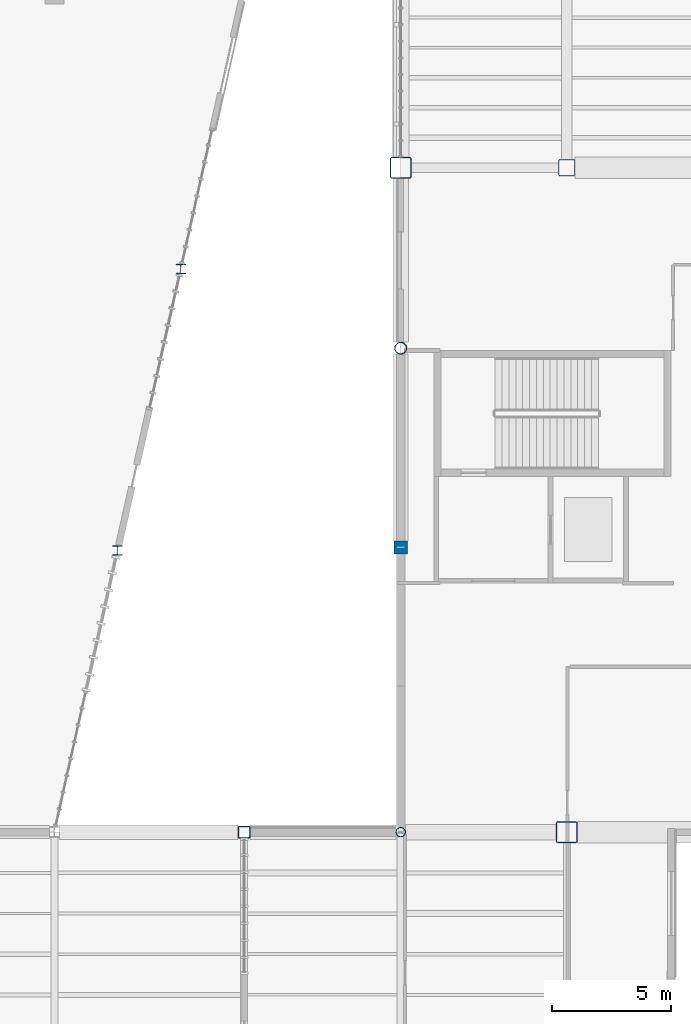
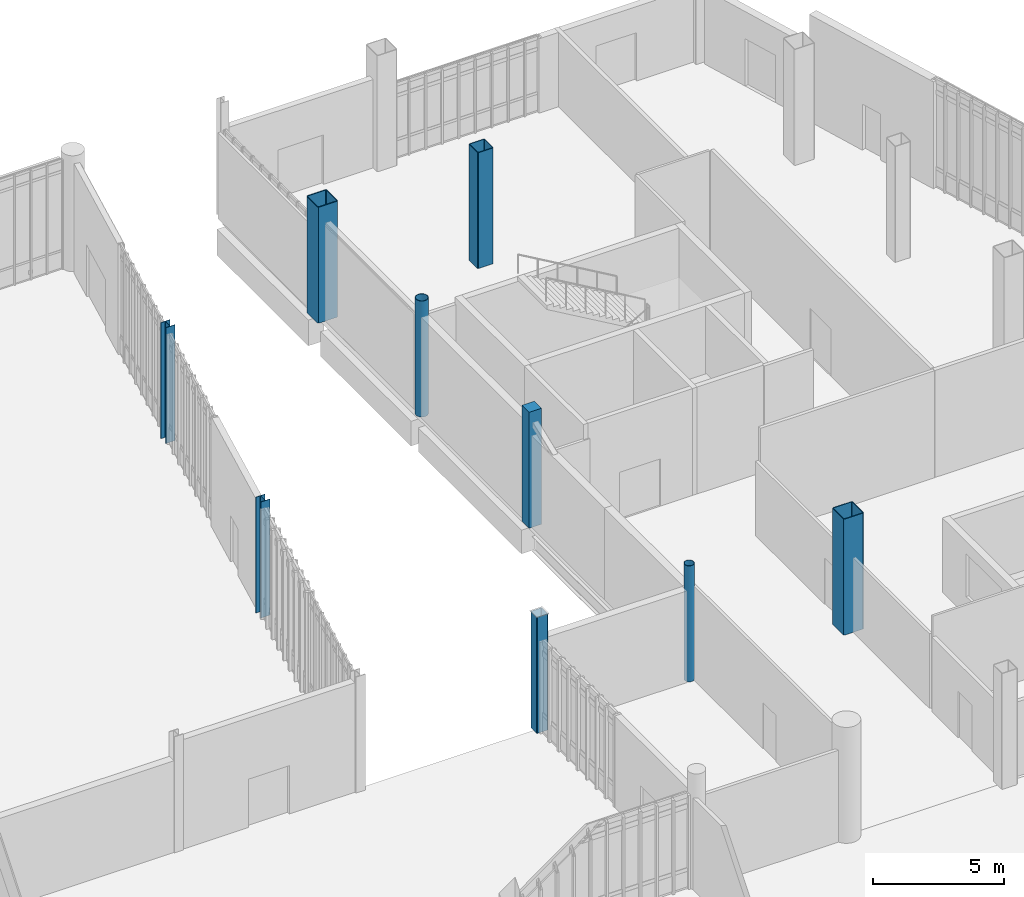
# One storey, part 10 of 111: 9 columns.
"""IFC4 building model written with IfcOpenShell, lengths in metres."""

from ifc_helpers import new_model, si_unit, direction, frame, origin, origin_2d, place, context, subcontext, project, spatial, rectangle, hollow_rectangle, hollow_circle, i_section, extrude, material, material_profile, profile_set, type_object, element, save


model = new_model("IFC4")

# Units and contexts
model_context = context("Model", 3, precision=1e-05, world=origin(), true_north=direction((0.0, 1.0)))
body_context = subcontext(model_context, "Body", "Model", "MODEL_VIEW")
ifc_project = project(units=[si_unit("LENGTHUNIT", "METRE"), si_unit("AREAUNIT", "SQUARE_METRE"), si_unit("VOLUMEUNIT", "CUBIC_METRE"), si_unit("PLANEANGLEUNIT", "RADIAN"), si_unit("MASSUNIT", "GRAM", prefix="KILO")], contexts=[model_context])

# Site, building, storey
site_placement = place(None, origin())
site = spatial("IfcSite", under=ifc_project, at=site_placement, CompositionType="ELEMENT")
building_placement = place(site_placement, origin())
building = spatial("IfcBuilding", under=site, at=building_placement, Name="Larkvane Passage Sports Hall", CompositionType="ELEMENT")
storey_placement = place(building_placement, origin())
storey = spatial("IfcBuildingStorey", under=building, at=storey_placement, Name="L00", CompositionType="ELEMENT", Elevation=0.0)

# Columns
ifc_material_1 = material(Name="Concrete C40/50", Category="concrete")
ifc_material_profile_1 = material_profile(ifc_material_1, rectangle(XDim=0.550048828125, YDim=0.550048828125, at=origin_2d()), Name="RC-COL-550x550")
ifc_profile_set_1 = profile_set([ifc_material_profile_1], Name="Concrete C40/50")
column_type_1 = type_object("IfcColumnType", Name="COL-RC-550", PredefinedType="COLUMN", material=ifc_profile_set_1)
column_1_placement = place(storey_placement, frame((124.60009765625, 75.60009765625, 0.0), z_axis=(0.0, 0.0, 1.0), x_axis=(1.0, 0.0, 0.0)))
element("IfcColumn", 1, at=column_1_placement, inside=storey, type_object=column_type_1, Name="Column 17/J L00", PredefinedType="COLUMN", context=body_context, shape_type="SweptSolid", body=[
    extrude(rectangle(XDim=0.550048828125, YDim=0.550048828125, at=origin_2d()), origin(), (0.0, 0.0, 1.0), 5.39990234375),
])
ifc_material_2 = material(Name="Steel S460N", Category="steel")
ifc_material_profile_2 = material_profile(ifc_material_2, hollow_rectangle(XDim=0.699951171875, YDim=0.699951171875, WallThickness=0.028076171875, InnerFilletRadius=0.028076171875, OuterFilletRadius=0.055908203125, at=origin_2d()), Name="BOX-700x700x28")
ifc_profile_set_2 = profile_set([ifc_material_profile_2], Name="Steel S460N")
column_type_2 = type_object("IfcColumnType", Name="COL-STL-BOX700", PredefinedType="COLUMN", material=ifc_profile_set_2)
column_2_placement = place(storey_placement, frame((131.60009765625, 91.60009765625, 0.0), z_axis=(0.0, 0.0, 1.0), x_axis=(1.0, 0.0, 0.0)))
element("IfcColumn", 2, at=column_2_placement, inside=storey, type_object=column_type_2, Name="Column 18/L L00", PredefinedType="COLUMN", context=body_context, shape_type="SweptSolid", body=[
    extrude(hollow_rectangle(XDim=0.699951171875, YDim=0.699951171875, WallThickness=0.028076171875, InnerFilletRadius=0.028076171875, OuterFilletRadius=0.055908203125, at=origin_2d()), origin(), (0.0, 0.0, 1.0), 5.39990234375),
])
ifc_material_profile_3 = material_profile(ifc_material_2, hollow_rectangle(XDim=0.89990234375, YDim=0.89990234375, WallThickness=0.035888671875, InnerFilletRadius=0.035888671875, OuterFilletRadius=0.072021484375, at=origin_2d()), Name="BOX-900x900x36")
ifc_profile_set_3 = profile_set([ifc_material_profile_3], Name="Steel S460N")
column_type_3 = type_object("IfcColumnType", Name="COL-STL-BOX900", PredefinedType="COLUMN", material=ifc_profile_set_3)
for number, where, z_axis, x_axis, name in (
    (3, (124.60009765625, 91.60009765625, 0.0), (0.0, 0.0, 1.0), (1.0, 0.0, 0.0), "Column 17/L L00"),
    (4, (131.60009765625, 63.60009765625, 0.0), (0.0, 0.0, 1.0), (1.0, 0.0, 0.0), "Column 18/H L00"),
):
    element("IfcColumn", number, at=place(storey_placement, frame(where, z_axis=z_axis, x_axis=x_axis)), inside=storey, type_object=column_type_3, Name=name, PredefinedType="COLUMN", context=body_context, shape_type="SweptSolid", body=[
        extrude(hollow_rectangle(XDim=0.89990234375, YDim=0.89990234375, WallThickness=0.035888671875, InnerFilletRadius=0.035888671875, OuterFilletRadius=0.072021484375, at=origin_2d()), origin(), (0.0, 0.0, 1.0), 5.39990234375),
    ])
ifc_material_3 = material(Name="Steel S355JR", Category="steel")
ifc_material_profile_4 = material_profile(ifc_material_3, hollow_circle(Radius=0.203125, WallThickness=0.01611328125, at=origin_2d()), Name="CHS-406.4x16.0")
ifc_profile_set_4 = profile_set([ifc_material_profile_4], Name="Steel S355JR")
column_type_4 = type_object("IfcColumnType", Name="COL-STL-CHS406", PredefinedType="COLUMN", material=ifc_profile_set_4)
column_3_placement = place(storey_placement, frame((124.60009765625, 63.60009765625, 0.0), z_axis=(0.0, 0.0, 1.0), x_axis=(1.0, 0.0, 0.0)))
element("IfcColumn", 5, at=column_3_placement, inside=storey, type_object=column_type_4, Name="Column 17/H L00", PredefinedType="COLUMN", context=body_context, shape_type="SweptSolid", body=[
    extrude(hollow_circle(Radius=0.203125, WallThickness=0.01611328125, at=origin_2d()), origin(), (0.0, 0.0, 1.0), 5.39990234375),
])
ifc_material_profile_5 = material_profile(ifc_material_2, hollow_circle(Radius=0.25390625, WallThickness=0.01904296875, at=origin_2d()), Name="CHS-508.0x19.0")
ifc_profile_set_5 = profile_set([ifc_material_profile_5], Name="Steel S460N")
column_type_5 = type_object("IfcColumnType", Name="COL-STL-CHS508", PredefinedType="COLUMN", material=ifc_profile_set_5)
column_4_placement = place(storey_placement, frame((124.60009765625, 84.0, 0.0), z_axis=(0.0, 0.0, 1.0), x_axis=(1.0, 0.0, 0.0)))
element("IfcColumn", 6, at=column_4_placement, inside=storey, type_object=column_type_5, Name="Column 17/K L00", PredefinedType="COLUMN", context=body_context, shape_type="SweptSolid", body=[
    extrude(hollow_circle(Radius=0.25390625, WallThickness=0.01904296875, at=origin_2d()), origin(), (0.0, 0.0, 1.0), 5.39990234375),
])
ifc_material_profile_6 = material_profile(ifc_material_3, i_section(OverallWidth=0.39990234375, OverallDepth=0.39990234375, WebThickness=0.012939453125, FlangeThickness=0.02099609375, FilletRadius=0.02197265625, at=origin_2d()), Name="H-400x400x13x21")
ifc_profile_set_6 = profile_set([ifc_material_profile_6], Name="Steel S355JR")
column_type_6 = type_object("IfcColumnType", Name="COL-STL-H400", PredefinedType="COLUMN", material=ifc_profile_set_6)
for number, where, z_axis, x_axis, name in (
    (7, (112.669921875, 75.469970703125, 0.0), (0.0, 0.0, 1.0), (1.0, 0.0, 0.0), "Climbing hall east facade column V3E-1 L00"),
    (8, (115.330078125, 87.330078125, 0.0), (0.0, 0.0, 1.0), (1.0, 0.0, 0.0), "Climbing hall east facade column V3E-2 L00"),
):
    element("IfcColumn", number, at=place(storey_placement, frame(where, z_axis=z_axis, x_axis=x_axis)), inside=storey, type_object=column_type_6, Name=name, PredefinedType="COLUMN", context=body_context, shape_type="SweptSolid", body=[
        extrude(i_section(OverallWidth=0.39990234375, OverallDepth=0.39990234375, WebThickness=0.012939453125, FlangeThickness=0.02099609375, FilletRadius=0.02197265625, at=origin_2d()), origin(), (0.0, 0.0, 1.0), 5.39990234375),
    ])
ifc_material_profile_7 = material_profile(ifc_material_2, hollow_rectangle(XDim=0.5, YDim=0.5, WallThickness=0.02197265625, InnerFilletRadius=0.02197265625, OuterFilletRadius=0.0439453125, at=origin_2d()), Name="SHS-500x500x22")
ifc_profile_set_7 = profile_set([ifc_material_profile_7], Name="Steel S460N")
column_type_7 = type_object("IfcColumnType", Name="COL-STL-SHS500", PredefinedType="COLUMN", material=ifc_profile_set_7)
column_5_placement = place(storey_placement, frame((118.0, 63.60009765625, 0.0), z_axis=(0.0, 0.0, 1.0), x_axis=(1.0, 0.0, 0.0)))
element("IfcColumn", 9, at=column_5_placement, inside=storey, type_object=column_type_7, Name="Column 16/H L00", PredefinedType="COLUMN", context=body_context, shape_type="SweptSolid", body=[
    extrude(hollow_rectangle(XDim=0.5, YDim=0.5, WallThickness=0.02197265625, InnerFilletRadius=0.02197265625, OuterFilletRadius=0.0439453125, at=origin_2d()), origin(), (0.0, 0.0, 1.0), 5.39990234375),
])

save(model, "model.ifc")
